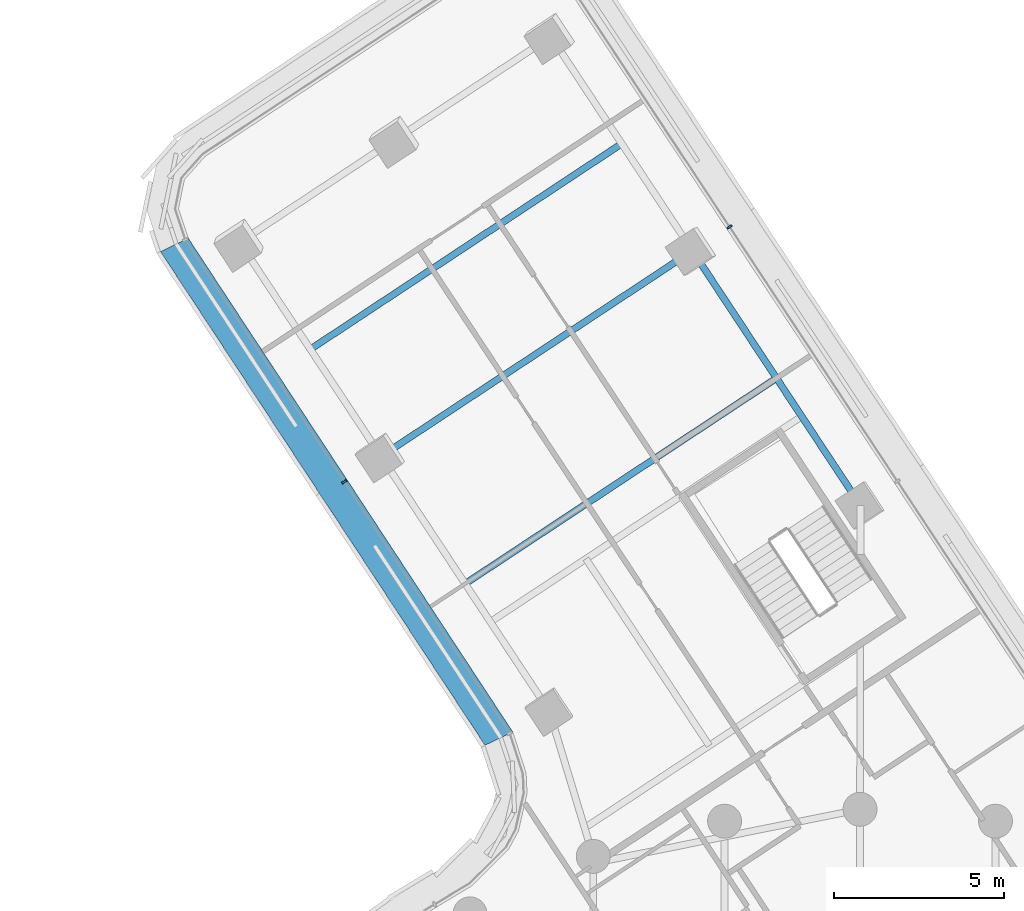
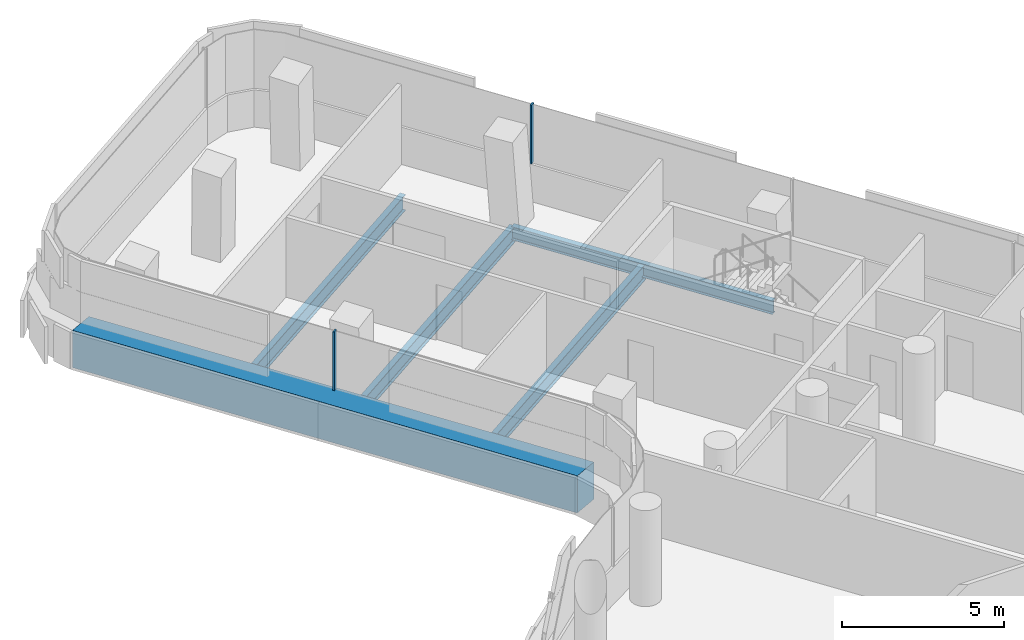
# One storey, part 17 of 35: 4 beams, 3 members, 2 elements without a shape of their own.
"""IFC4 building model written with IfcOpenShell, lengths in metres."""

from ifc_helpers import new_model, si_unit, direction, frame, origin, origin_2d, place, context, subcontext, project, spatial, polyline, rectangle, i_section, outline, extrude, material, layer, layer_set, material_profile, profile_set, type_object, element, aggregate, save


model = new_model("IFC4")

# Units and contexts
model_context = context("Model", 3, precision=1e-05, world=origin(), true_north=direction((0.0, 1.0)))
body_context = subcontext(model_context, "Body", "Model", "MODEL_VIEW")
ifc_project = project(units=[si_unit("LENGTHUNIT", "METRE"), si_unit("AREAUNIT", "SQUARE_METRE"), si_unit("VOLUMEUNIT", "CUBIC_METRE"), si_unit("PLANEANGLEUNIT", "RADIAN"), si_unit("MASSUNIT", "GRAM", prefix="KILO")], contexts=[model_context])

# Site, building, storey
site_placement = place(None, origin())
site = spatial("IfcSite", under=ifc_project, at=site_placement, CompositionType="ELEMENT")
building_placement = place(site_placement, origin())
building = spatial("IfcBuilding", under=site, at=building_placement, Name="Tamarind Cross Interchange Tower", CompositionType="ELEMENT")
storey_placement = place(building_placement, frame((0.0, 0.0, 155.5)))
storey = spatial("IfcBuildingStorey", under=building, at=storey_placement, Name="L38", CompositionType="ELEMENT", Elevation=155.5)

# Beams
ifc_material_1 = material(Name="Steel Q355B", Category="steel")
ifc_material_profile_1 = material_profile(ifc_material_1, i_section(OverallWidth=0.198974609375, OverallDepth=0.49609375, WebThickness=0.009033203125, FlangeThickness=0.013916015625, FilletRadius=0.012939453125, at=origin_2d()), Name="HN 496x199x9x14")
ifc_profile_set_1 = profile_set([ifc_material_profile_1], Name="Steel Q355B")
beam_type_1 = type_object("IfcBeamType", Name="Composite beam HN 496x199x9x14 Q355B", PredefinedType="BEAM", material=ifc_profile_set_1)
beam_1_placement = place(storey_placement, frame((-4.94189453125, 39.467529296875, -0.387939453125), z_axis=(0.550969936859, -0.8345250917, 0.0), x_axis=(0.8345250917, 0.550969936859, 0.0)))
element("IfcBeam", 1, at=beam_1_placement, inside=storey, type_object=beam_type_1, Name="Beam N-edgeem6", PredefinedType="BEAM", context=body_context, shape_type="SweptSolid", body=[
    extrude(i_section(OverallWidth=0.198974609375, OverallDepth=0.49609375, WebThickness=0.009033203125, FlangeThickness=0.013916015625, FilletRadius=0.012939453125, at=origin_2d()), origin(), (0.0, 0.0, 1.0), 9.0),
])
ifc_material_profile_2 = material_profile(ifc_material_1, i_section(OverallWidth=0.199951171875, OverallDepth=0.60009765625, WebThickness=0.010986328125, FlangeThickness=0.01708984375, FilletRadius=0.012939453125, at=origin_2d()), Name="HN 600x200x11x17")
ifc_profile_set_2 = profile_set([ifc_material_profile_2], Name="Steel Q355B")
beam_type_2 = type_object("IfcBeamType", Name="Composite beam HN 600x200x11x17 Q355B", PredefinedType="BEAM", material=ifc_profile_set_2)
for number, where, z_axis, x_axis, name in (
    (2, (-4.94189453125, 39.467529296875, -0.43994140625), (-0.834527766716, -0.550965885132, 0.0), (0.550965885132, -0.834527766716, 0.0), "Beam N-x393"),
    (3, (-2.462646484375, 35.712158203125, -0.43994140625), (-0.834527766716, -0.550965885132, 0.0), (0.550965885132, -0.834527766716, 0.0), "Beam N-x348"),
):
    element("IfcBeam", number, at=place(storey_placement, frame(where, z_axis=z_axis, x_axis=x_axis)), inside=storey, type_object=beam_type_2, Name=name, PredefinedType="BEAM", context=body_context, shape_type="SweptSolid", body=[
        extrude(i_section(OverallWidth=0.199951171875, OverallDepth=0.60009765625, WebThickness=0.010986328125, FlangeThickness=0.01708984375, FilletRadius=0.012939453125, at=origin_2d()), origin(), (0.0, 0.0, 1.0), 10.999755859375),
    ])
beam_2_placement = place(storey_placement, frame((-7.026611328125, 42.625244140625, -0.43994140625), z_axis=(-0.83451756157, -0.55098134218, 0.0), x_axis=(0.55098134218, -0.83451756157, 0.0)))
element("IfcBeam", 4, at=beam_2_placement, inside=storey, type_object=beam_type_2, Name="Beam N-x431", PredefinedType="BEAM", context=body_context, shape_type="SweptSolid", body=[
    extrude(i_section(OverallWidth=0.199951171875, OverallDepth=0.60009765625, WebThickness=0.010986328125, FlangeThickness=0.01708984375, FilletRadius=0.012939453125, at=origin_2d()), origin(), (0.0, 0.0, 1.0), 11.0),
])

# Curtain wall, members
ifc_material_2 = material(Name="Aluminium 6063-T6", Category="aluminium")
ifc_layer = layer(ifc_material_2, 0.159912109375)
ifc_layer_set = layer_set([ifc_layer], Name="Aluminium 6063-T6")
curtain_wall_type = type_object("IfcCurtainWallType", Name="Office curtain wall, 9.0 m bays", PredefinedType="NOTDEFINED", material=ifc_layer_set)
curtain_wall_1_placement = place(storey_placement, origin())
curtain_wall_1 = element("IfcCurtainWall", 5, at=curtain_wall_1_placement, inside=storey, type_object=curtain_wall_type, Name="CWS-L38-01", PredefinedType="NOTDEFINED")
ifc_material_3 = material(Name="Aluminium and insulated spandrel panel", Category="aluminium")
member_type_1 = type_object("IfcMemberType", Name="Floor-edge blade transom", PredefinedType="USERDEFINED", material=ifc_material_3)
member_1_placement = place(storey_placement, origin())
member_1 = element("IfcMember", 6, at=member_1_placement, type_object=member_type_1, Name="CWT-L38-01", ObjectType="TRANSOM", PredefinedType="USERDEFINED", context=body_context, shape_type="SweptSolid", body=[
    extrude(outline(polyline([(-19.806396484375, 39.839111328125), (-10.23828125, 25.28173828125), (-11.056884765625, 24.888671875), (-20.623046875, 39.443115234375), (-19.806396484375, 39.839111328125)])), origin(), (0.0, 0.0, 1.0), 1.39990234375),
])
ifc_material_profile_3 = material_profile(ifc_material_2, rectangle(XDim=0.06005859375, YDim=0.159912109375, at=origin_2d()), Name="Mullion CW1")
ifc_profile_set_3 = profile_set([ifc_material_profile_3], Name="Aluminium 6063-T6")
member_type_2 = type_object("IfcMemberType", Name="Mullion CW1", PredefinedType="MULLION", material=ifc_profile_set_3)
member_2_placement = place(storey_placement, frame((-15.20654296875, 32.658447265625, 1.39990234375), z_axis=(0.0, 0.0, 1.0), x_axis=(0.549247742562, -0.835659570214, 0.0)))
member_2 = element("IfcMember", 7, at=member_2_placement, type_object=member_type_2, Name="CWM-L38-01-01", PredefinedType="MULLION", context=body_context, shape_type="SweptSolid", body=[
    extrude(rectangle(XDim=0.06005859375, YDim=0.159912109375, at=origin_2d()), origin(), (0.0, 0.0, 1.0), 2.210205078125),
])
aggregate(curtain_wall_1, [member_2, member_1])

# Curtain wall, member
curtain_wall_2_placement = place(storey_placement, origin())
curtain_wall_2 = element("IfcCurtainWall", 8, at=curtain_wall_2_placement, inside=storey, type_object=curtain_wall_type, Name="CWS-L38-15", PredefinedType="NOTDEFINED")
member_3_placement = place(storey_placement, frame((-3.849853515625, 40.173095703125, 1.39990234375), z_axis=(0.0, 0.0, 1.0), x_axis=(-0.550970225759, 0.834524900963, 0.0)))
member_3 = element("IfcMember", 9, at=member_3_placement, type_object=member_type_2, Name="CWM-L38-15-02", PredefinedType="MULLION", context=body_context, shape_type="SweptSolid", body=[
    extrude(rectangle(XDim=0.06005859375, YDim=0.159912109375, at=origin_2d()), origin(), (0.0, 0.0, 1.0), 2.210205078125),
])
aggregate(curtain_wall_2, [member_3])

save(model, "model.ifc")
